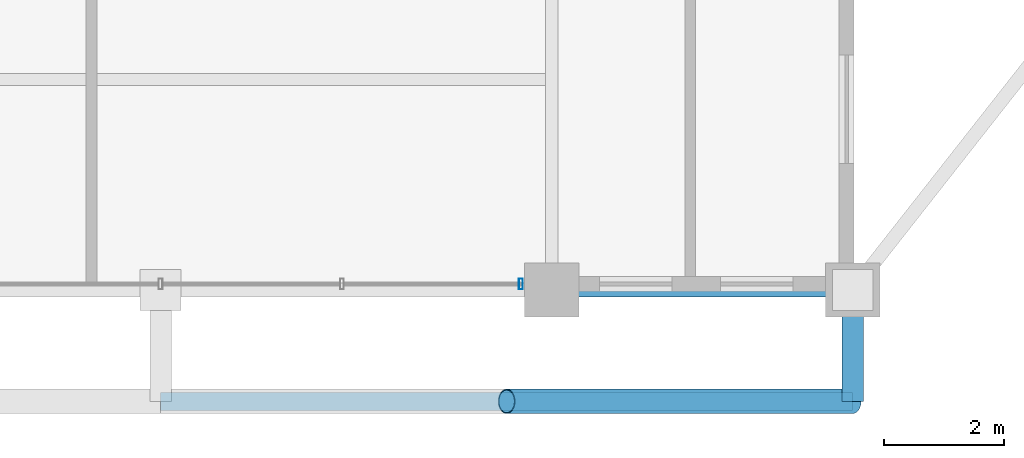
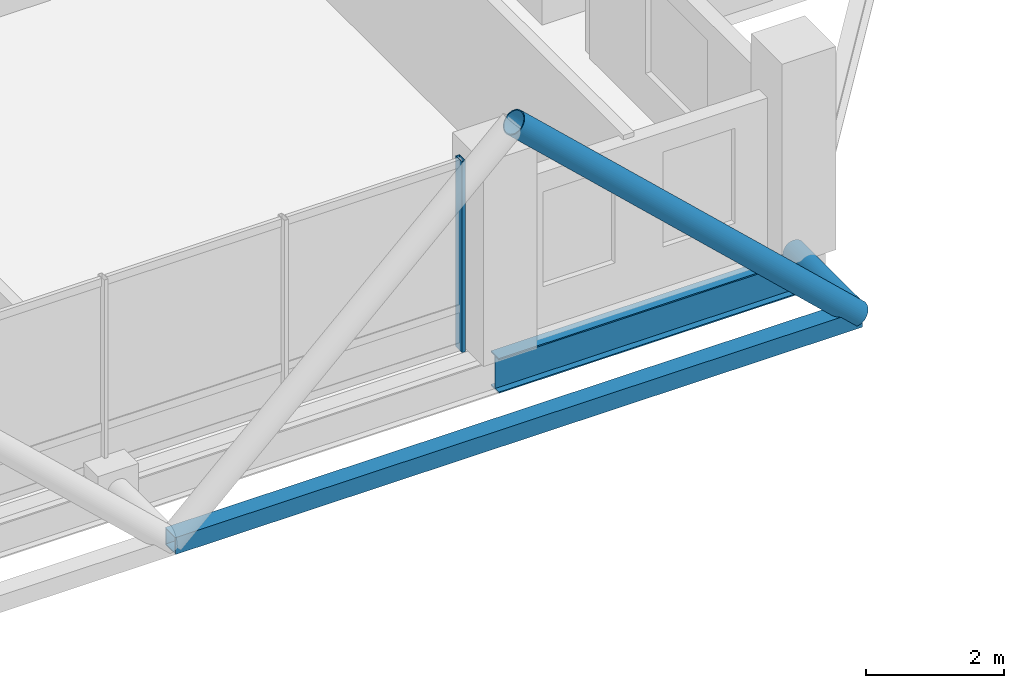
# One storey, part 6 of 24: 4 members, 1 beam, 1 element without a shape of its own.
"""IFC4 building model written with IfcOpenShell, lengths in metres."""

from ifc_helpers import new_model, si_unit, direction, frame, origin, origin_2d, place, context, subcontext, project, spatial, hollow_rectangle, hollow_circle, i_section, extrude, material, layer, layer_set, material_profile, profile_set, type_object, element, aggregate, save


model = new_model("IFC4")

# Units and contexts
model_context = context("Model", 3, precision=1e-05, world=origin(), true_north=direction((0.0, 1.0)))
body_context = subcontext(model_context, "Body", "Model", "MODEL_VIEW")
ifc_project = project(units=[si_unit("LENGTHUNIT", "METRE"), si_unit("AREAUNIT", "SQUARE_METRE"), si_unit("VOLUMEUNIT", "CUBIC_METRE"), si_unit("PLANEANGLEUNIT", "RADIAN"), si_unit("MASSUNIT", "GRAM", prefix="KILO")], contexts=[model_context])

# Site, building, storey
site_placement = place(None, origin())
site = spatial("IfcSite", under=ifc_project, at=site_placement, CompositionType="ELEMENT")
building_placement = place(site_placement, origin())
building = spatial("IfcBuilding", under=site, at=building_placement, Name="Barlavira Tower and Art Museum", CompositionType="ELEMENT")
storey_placement = place(building_placement, frame((0.0, 0.0, 251.10009765625)))
storey = spatial("IfcBuildingStorey", under=building, at=storey_placement, Name="L65", CompositionType="ELEMENT", Elevation=251.10009765625)

# Curtain wall, member
ifc_material_1 = material(Name="Low-iron coastal laminated glass", Category="glass")
ifc_layer = layer(ifc_material_1, 0.2099609375, Name="Low-iron coastal laminated glass")
ifc_layer_set = layer_set([ifc_layer], Name="Low-iron coastal laminated glass")
curtain_wall_type = type_object("IfcCurtainWallType", Name="Pale-Metal Unitised Curtain Wall Zone 4", PredefinedType="NOTDEFINED", material=ifc_layer_set)
curtain_wall_placement = place(storey_placement, origin())
curtain_wall = element("IfcCurtainWall", 1, at=curtain_wall_placement, inside=storey, type_object=curtain_wall_type, Name="L65 Curtain Wall CW4-L65-S-B2", PredefinedType="NOTDEFINED")
ifc_material_2 = material(Name="Pale anodised aluminium", Category="aluminium")
ifc_material_profile_1 = material_profile(ifc_material_2, hollow_rectangle(XDim=0.06494140625, YDim=0.179931640625, WallThickness=0.00390625, at=origin_2d()), Name="ALU-MULL 65x180x4")
ifc_profile_set_1 = profile_set([ifc_material_profile_1], Name="Pale anodised aluminium")
member_type_1 = type_object("IfcMemberType", Name="Curtain Wall Pale-Metal Mullion 65x180", PredefinedType="MULLION", material=ifc_profile_set_1)
member_1_placement = place(storey_placement, frame((5.985107421875, -19.89990234375, 0.0), z_axis=(0.0, 0.0, 1.0), x_axis=(1.0, 0.0, 0.0)))
member_1 = element("IfcMember", 2, at=member_1_placement, type_object=member_type_1, Name="CW4-L65-S-B2 Mullion 4", PredefinedType="MULLION", context=body_context, shape_type="SweptSolid", body=[
    extrude(hollow_rectangle(XDim=0.06494140625, YDim=0.179931640625, WallThickness=0.00390625, at=origin_2d()), origin(), (0.0, 0.0, 1.0), 3.3798828125),
])
aggregate(curtain_wall, [member_1])

# Members
ifc_material_3 = material(Name="Steel S355", Category="steel")
ifc_material_profile_2 = material_profile(ifc_material_3, hollow_circle(Radius=0.203125, WallThickness=0.01611328125, at=origin_2d()), Name="CHS 406.4x16.0")
ifc_profile_set_2 = profile_set([ifc_material_profile_2], Name="Steel S355")
member_type_2 = type_object("IfcMemberType", Name="Pale-Metal Exoskeleton Diagrid Tube CHS 406x16 Steel S355", PredefinedType="BRACE", material=ifc_profile_set_2)
member_2_placement = place(storey_placement, frame((11.5, -21.85009765625, -0.1201171875), z_axis=(-0.728950095515, 0.0, 0.684566839869), x_axis=(0.0, -1.0, 0.0)))
element("IfcMember", 3, at=member_2_placement, inside=storey, type_object=member_type_2, Name="L65 Exoskeleton Diagrid Tube S", PredefinedType="BRACE", context=body_context, shape_type="SweptSolid", body=[
    extrude(hollow_circle(Radius=0.203125, WallThickness=0.01611328125, at=origin_2d()), origin(), (0.0, 0.0, 1.0), 7.887939453125),
])
ifc_material_profile_3 = material_profile(ifc_material_3, hollow_circle(Radius=0.177734375, WallThickness=0.01611328125, at=origin_2d()), Name="CHS 355.6x16.0")
ifc_profile_set_3 = profile_set([ifc_material_profile_3], Name="Steel S355")
member_type_3 = type_object("IfcMemberType", Name="Pale-Metal Exoskeleton Tie Strut CHS 356x16 Steel S355", PredefinedType="STRUT", material=ifc_profile_set_3)
member_3_placement = place(storey_placement, frame((11.5, -21.85009765625, -0.1201171875), z_axis=(0.0, 1.0, 0.0), x_axis=(-1.0, 0.0, 0.0)))
element("IfcMember", 4, at=member_3_placement, inside=storey, type_object=member_type_3, Name="L65 Exoskeleton Tie Strut S3", PredefinedType="STRUT", context=body_context, shape_type="SweptSolid", body=[
    extrude(hollow_circle(Radius=0.177734375, WallThickness=0.01611328125, at=origin_2d()), origin(), (0.0, 0.0, 1.0), 1.85009765625),
])
ifc_material_profile_4 = material_profile(ifc_material_3, hollow_rectangle(XDim=0.300048828125, YDim=0.300048828125, WallThickness=0.01611328125, at=origin_2d()), Name="SHS 300x300x16.0")
ifc_profile_set_4 = profile_set([ifc_material_profile_4], Name="Steel S355")
member_type_4 = type_object("IfcMemberType", Name="Pale-Metal Upper Ring Strut SHS 300x300x16 Steel S355", PredefinedType="STRUT", material=ifc_profile_set_4)
member_4_placement = place(storey_placement, frame((0.0, -21.85009765625, -0.1201171875), z_axis=(1.0, 0.0, 0.0), x_axis=(0.0, 1.0, 0.0)))
element("IfcMember", 5, at=member_4_placement, inside=storey, type_object=member_type_4, Name="L65 Exoskeleton Ring Strut S", PredefinedType="STRUT", context=body_context, shape_type="SweptSolid", body=[
    extrude(hollow_rectangle(XDim=0.300048828125, YDim=0.300048828125, WallThickness=0.01611328125, at=origin_2d()), origin(), (0.0, 0.0, 1.0), 11.5),
])

# Beam
ifc_material_profile_5 = material_profile(ifc_material_3, i_section(OverallWidth=0.22998046875, OverallDepth=0.616943359375, WebThickness=0.01318359375, FlangeThickness=0.022216796875, at=origin_2d()), Name="W610x140.0")
ifc_profile_set_5 = profile_set([ifc_material_profile_5], Name="Steel S355")
beam_type = type_object("IfcBeamType", Name="Upper Shaft Spandrel Edge Beam W610x140 Steel S355", PredefinedType="SPANDREL", material=ifc_profile_set_5)
beam_placement = place(storey_placement, frame((6.5, -20.0, -0.528564453125), z_axis=(1.0, 0.0, 0.0), x_axis=(0.0, 1.0, 0.0)))
element("IfcBeam", 6, at=beam_placement, inside=storey, type_object=beam_type, Name="L65 Spandrel 3", PredefinedType="SPANDREL", context=body_context, shape_type="SweptSolid", body=[
    extrude(i_section(OverallWidth=0.22998046875, OverallDepth=0.616943359375, WebThickness=0.01318359375, FlangeThickness=0.022216796875, at=origin_2d()), origin(), (0.0, 0.0, 1.0), 5.0),
])

save(model, "model.ifc")
